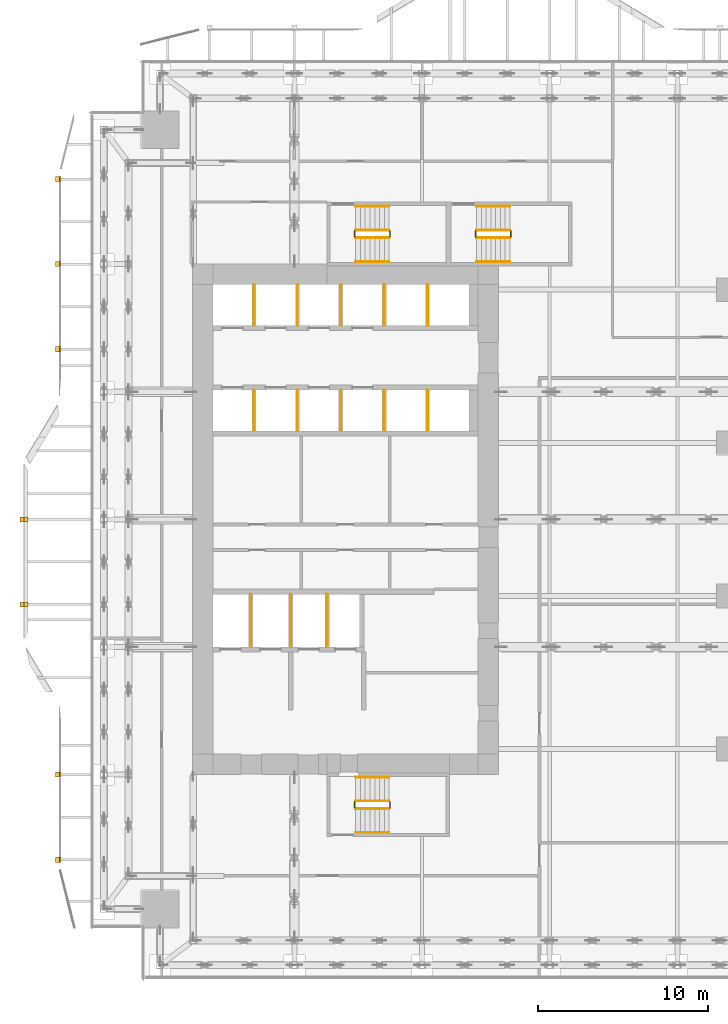
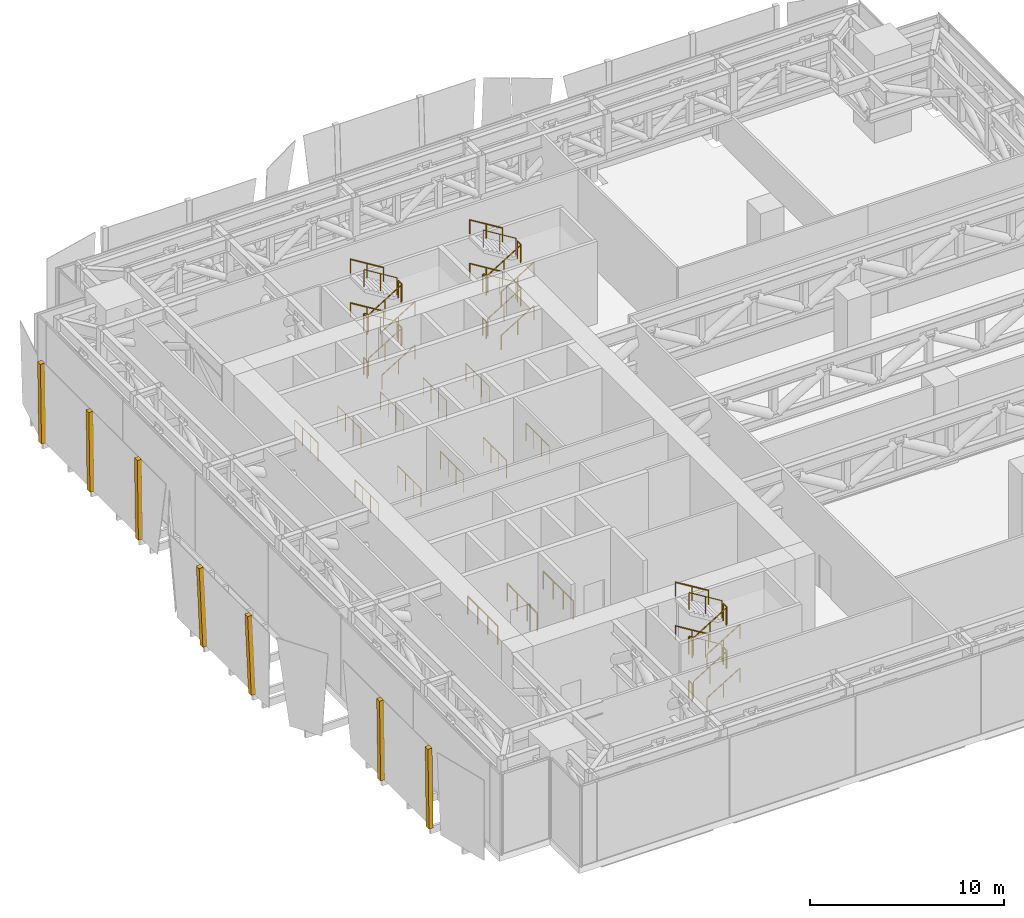
# One storey, part 38 of 39: 49 railings, 7 coverings.
"""IFC4 building model written with IfcOpenShell, lengths in metres."""

from ifc_helpers import new_model, si_unit, direction, frame, origin, origin_2d, place, context, subcontext, project, spatial, polyline, circle, outline, extrude, source, transform, mapped, material, layer, layer_set, type_object, element, save


model = new_model("IFC4")

# Units and contexts
model_context = context("Model", 3, precision=1e-05, world=origin(), true_north=direction((0.0, 1.0)))
body_context = subcontext(model_context, "Body", "Model", "MODEL_VIEW")
ifc_project = project(units=[si_unit("LENGTHUNIT", "METRE"), si_unit("AREAUNIT", "SQUARE_METRE"), si_unit("VOLUMEUNIT", "CUBIC_METRE"), si_unit("PLANEANGLEUNIT", "RADIAN"), si_unit("MASSUNIT", "GRAM", prefix="KILO")], contexts=[model_context])

# Site, building, storey
site_placement = place(None, origin())
site = spatial("IfcSite", under=ifc_project, at=site_placement, CompositionType="ELEMENT")
building_placement = place(site_placement, origin())
building = spatial("IfcBuilding", under=site, at=building_placement, Name="Khomas Fold Tower", CompositionType="ELEMENT")
storey_placement = place(building_placement, frame((0.0, 0.0, 96.0)))
storey = spatial("IfcBuildingStorey", under=building, at=storey_placement, Name="L20", CompositionType="ELEMENT", Elevation=96.0)

# Coverings
ifc_material_1 = material(Name="Natural stone cladding", Category="masonry")
ifc_layer = layer(ifc_material_1, 0.25)
ifc_layer_set = layer_set([ifc_layer], Name="Natural stone cladding")
covering_type = type_object("IfcCoveringType", Name="SK-Karibib marble stone mullion", PredefinedType="CLADDING", material=ifc_layer_set)
for number, where, z_axis, x_axis, name in (
    (1, (-1.727783203125, 6.85009765625, 0.0), (0.999913554887, 0.0, 0.013148488612), (-0.013148488612, 0.0, 0.999913554887), "OUTER SKIN mullion L20 WM099-2"),
    (2, (-1.727783203125, 11.85009765625, 0.0), (0.999913554887, 0.0, 0.013148488612), (-0.013148488612, 0.0, 0.999913554887), "OUTER SKIN mullion L20 WM100-4"),
):
    element("IfcCovering", number, at=place(storey_placement, frame(where, z_axis=z_axis, x_axis=x_axis)), inside=storey, type_object=covering_type, Name=name, PredefinedType="CLADDING", context=body_context, shape_type="SweptSolid", body=[
        extrude(outline(polyline([(0.0, 0.0), (5.050485417906456, 0.0), (5.050485417906456, -0.2998046875), (0.0, -0.2998046875), (0.0, 0.0)])), origin(), (0.0, 0.0, -1.0), 0.25),
    ])
for number, where, z_axis, x_axis, name in (
    (3, (-3.6591796875, 21.85009765625, 0.0), (0.999042164286, 0.0, 0.043757901902), (-0.043757901902, 0.0, 0.999042164286), "OUTER SKIN mullion L20 WM102-8"),
    (4, (-3.6591796875, 26.85009765625, 0.0), (0.999042164286, 0.0, 0.043757901902), (-0.043757901902, 0.0, 0.999042164286), "OUTER SKIN mullion L20 WM103-10"),
):
    element("IfcCovering", number, at=place(storey_placement, frame(where, z_axis=z_axis, x_axis=x_axis)), inside=storey, type_object=covering_type, Name=name, PredefinedType="CLADDING", context=body_context, shape_type="SweptSolid", body=[
        extrude(outline(polyline([(0.0, 0.0), (5.054890582855927, 0.0), (5.054890582855927, -0.2998046875), (0.0, -0.2998046875), (0.0, 0.0)])), origin(), (0.0, 0.0, -1.0), 0.25),
    ])
for number, where, z_axis, x_axis, name in (
    (5, (-1.727783203125, 36.85009765625, 0.0), (0.999913554887, 0.0, 0.013148488612), (-0.013148488612, 0.0, 0.999913554887), "OUTER SKIN mullion L20 WM105-15"),
    (6, (-1.727783203125, 41.85009765625, 0.0), (0.999913554887, 0.0, 0.013148488612), (-0.013148488612, 0.0, 0.999913554887), "OUTER SKIN mullion L20 WM106-17"),
    (7, (-1.727783203125, 46.85009765625, 0.0), (0.999913554887, 0.0, 0.013148488612), (-0.013148488612, 0.0, 0.999913554887), "OUTER SKIN mullion L20 WM107-19"),
):
    element("IfcCovering", number, at=place(storey_placement, frame(where, z_axis=z_axis, x_axis=x_axis)), inside=storey, type_object=covering_type, Name=name, PredefinedType="CLADDING", context=body_context, shape_type="SweptSolid", body=[
        extrude(outline(polyline([(0.0, 0.0), (5.050485417906456, 0.0), (5.050485417906456, -0.2998046875), (0.0, -0.2998046875), (0.0, 0.0)])), origin(), (0.0, 0.0, -1.0), 0.25),
    ])

# Railings
ifc_material_2 = material(Name="Powder-coated steel", Category="steel")
railing_type_1 = type_object("IfcRailingType", Name="Balcony guard", PredefinedType="GUARDRAIL", material=ifc_material_2)
shared_shape_1 = source(origin(), body_context, "Body", "SweptSolid", [
    extrude(circle(Radius=0.02490234375, at=origin_2d()), frame((0.0, 0.0, 1.125), z_axis=(0.0, 1.0, 0.0), x_axis=(-1.0, 0.0, 0.0)), (0.0, 0.0, 1.0), 3.10009765625),
    extrude(circle(Radius=0.02001953125, at=origin_2d()), origin(), (0.0, 0.0, 1.0), 1.099853515625),
    extrude(circle(Radius=0.02001953125, at=origin_2d()), frame((0.0, 1.033447265625, 0.0)), (0.0, 0.0, 1.0), 1.099853515625),
    extrude(circle(Radius=0.02001953125, at=origin_2d()), frame((0.0, 2.066650390625, 0.0)), (0.0, 0.0, 1.0), 1.099853515625),
    extrude(circle(Radius=0.02001953125, at=origin_2d()), frame((0.0, 3.10009765625, 0.0)), (0.0, 0.0, 1.0), 1.099853515625),
])
for number, where, name in (
    (8, (9.425048828125, 19.5, 0.0), "GUARD 69"),
    (9, (11.77490234375, 19.5, 0.0), "GUARD 69"),
    (10, (13.925048828125, 19.5, 0.0), "GUARD 69"),
):
    element("IfcRailing", number, at=place(storey_placement, frame(where)), inside=storey, type_object=railing_type_1, Name=name, PredefinedType="GUARDRAIL", context=body_context, shape_type="MappedRepresentation", body=[
        mapped(shared_shape_1, transform((0.0, 0.0, 0.0))),
    ])
shared_shape_2 = source(origin(), body_context, "Body", "SweptSolid", [
    extrude(circle(Radius=0.02490234375, at=origin_2d()), frame((0.0, 0.0, 1.125), z_axis=(0.0, 1.0, 0.0), x_axis=(-1.0, 0.0, 0.0)), (0.0, 0.0, 1.0), 2.400146484375),
    extrude(circle(Radius=0.02001953125, at=origin_2d()), origin(), (0.0, 0.0, 1.0), 1.099853515625),
    extrude(circle(Radius=0.02001953125, at=origin_2d()), frame((0.0, 0.800048828125, 0.0)), (0.0, 0.0, 1.0), 1.099853515625),
    extrude(circle(Radius=0.02001953125, at=origin_2d()), frame((0.0, 1.60009765625, 0.0)), (0.0, 0.0, 1.0), 1.099853515625),
    extrude(circle(Radius=0.02001953125, at=origin_2d()), frame((0.0, 2.400146484375, 0.0)), (0.0, 0.0, 1.0), 1.099853515625),
])
for number, where, name in (
    (11, (9.625, 32.199951171875, 0.0), "GUARD 69"),
    (12, (12.175048828125, 32.199951171875, 0.0), "GUARD 69"),
    (13, (14.72509765625, 32.199951171875, 0.0), "GUARD 69"),
    (14, (17.27490234375, 32.199951171875, 0.0), "GUARD 69"),
    (15, (19.824951171875, 32.199951171875, 0.0), "GUARD 69"),
    (16, (9.625, 38.39990234375, 0.0), "GUARD 69"),
    (17, (12.175048828125, 38.39990234375, 0.0), "GUARD 69"),
    (18, (14.72509765625, 38.39990234375, 0.0), "GUARD 69"),
    (19, (17.27490234375, 38.39990234375, 0.0), "GUARD 69"),
    (20, (19.824951171875, 38.39990234375, 0.0), "GUARD 69"),
):
    element("IfcRailing", number, at=place(storey_placement, frame(where)), inside=storey, type_object=railing_type_1, Name=name, PredefinedType="GUARDRAIL", context=body_context, shape_type="MappedRepresentation", body=[
        mapped(shared_shape_2, transform((0.0, 0.0, 0.0))),
    ])
ifc_material_3 = material(Name="Steel balustrade", Category="steel")
railing_type_2 = type_object("IfcRailingType", Name="Stair guard", PredefinedType="GUARDRAIL", material=ifc_material_3)
shared_shape_3 = source(origin(), body_context, "Body", "SweptSolid", [
    extrude(circle(Radius=0.02392578125, at=origin_2d()), frame((0.0, 0.0, 1.076171875), z_axis=(0.0, 1.0, 0.0), x_axis=(-1.0, 0.0, 0.0)), (0.0, 0.0, 1.0), 0.349853515625),
    extrude(circle(Radius=0.02099609375, at=origin_2d()), origin(), (0.0, 0.0, 1.0), 1.052001953125),
    extrude(circle(Radius=0.02099609375, at=origin_2d()), frame((0.0, 0.349853515625, 0.0)), (0.0, 0.0, 1.0), 1.052001953125),
])
for number, where, name in (
    (21, (17.610107421875, 43.60009765625, 1.375), "L20 ST1 stair guard 2"),
    (22, (15.550048828125, 43.60009765625, 2.75), "L20 ST1 stair guard 4"),
    (23, (17.610107421875, 43.60009765625, 4.125), "L20 ST1 stair guard 6"),
    (24, (15.550048828125, 43.60009765625, 0.0), "L20 ST1 stair guard 8"),
    (25, (17.610107421875, 10.050048828125, 1.375), "L20 ST2 stair guard 2"),
    (26, (15.550048828125, 10.050048828125, 2.75), "L20 ST2 stair guard 4"),
    (27, (17.610107421875, 10.050048828125, 4.125), "L20 ST2 stair guard 6"),
    (28, (15.550048828125, 10.050048828125, 0.0), "L20 ST2 stair guard 8"),
    (29, (24.7099609375, 43.60009765625, 1.375), "L20 ST3 stair guard 2"),
    (30, (22.64990234375, 43.60009765625, 2.75), "L20 ST3 stair guard 4"),
    (31, (24.7099609375, 43.60009765625, 4.125), "L20 ST3 stair guard 6"),
    (32, (22.64990234375, 43.60009765625, 0.0), "L20 ST3 stair guard 8"),
):
    element("IfcRailing", number, at=place(storey_placement, frame(where)), inside=storey, type_object=railing_type_2, Name=name, PredefinedType="GUARDRAIL", context=body_context, shape_type="MappedRepresentation", body=[
        mapped(shared_shape_3, transform((0.0, 0.0, 0.0))),
    ])
shared_shape_4 = source(origin(), body_context, "Body", "SweptSolid", [
    extrude(circle(Radius=0.02392578125, at=origin_2d()), frame((0.0, 0.0, 1.076171875), z_axis=(0.852240978134, 0.0, 0.523149419562), x_axis=(0.0, 1.0, 0.0)), (0.0, 0.0, 1.0), 2.2998046875),
    extrude(circle(Radius=0.02099609375, at=origin_2d()), origin(), (0.0, 0.0, 1.0), 1.052001953125),
    extrude(circle(Radius=0.02099609375, at=origin_2d()), frame((0.97998046875, 0.0, 0.6015625)), (0.0, 0.0, 1.0), 1.052001953125),
    extrude(circle(Radius=0.02099609375, at=origin_2d()), frame((1.9599609375, 0.0, 1.203125)), (0.0, 0.0, 1.0), 1.052001953125),
])
for number, where, name in (
    (33, (15.60009765625, 43.550048828125, 0.171875), "L20 ST1 stair guard 1"),
    (34, (15.60009765625, 43.550048828125, 2.921875), "L20 ST1 stair guard 5"),
    (35, (15.60009765625, 10.0, 0.171875), "L20 ST2 stair guard 1"),
    (36, (15.60009765625, 10.0, 2.921875), "L20 ST2 stair guard 5"),
    (37, (22.699951171875, 43.550048828125, 0.171875), "L20 ST3 stair guard 1"),
    (38, (22.699951171875, 43.550048828125, 2.921875), "L20 ST3 stair guard 5"),
):
    element("IfcRailing", number, at=place(storey_placement, frame(where)), inside=storey, type_object=railing_type_2, Name=name, PredefinedType="GUARDRAIL", context=body_context, shape_type="MappedRepresentation", body=[
        mapped(shared_shape_4, transform((0.0, 0.0, 0.0))),
    ])
shared_shape_5 = source(origin(), body_context, "Body", "SweptSolid", [
    extrude(circle(Radius=0.02392578125, at=origin_2d()), frame((0.0, 0.0, 1.076171875), z_axis=(-0.852240978134, 0.0, 0.523149419562), x_axis=(0.0, -1.0, 0.0)), (0.0, 0.0, 1.0), 2.2998046875),
    extrude(circle(Radius=0.02099609375, at=origin_2d()), origin(), (0.0, 0.0, 1.0), 1.052001953125),
    extrude(circle(Radius=0.02099609375, at=origin_2d()), frame((-0.97998046875, 0.0, 0.6015625)), (0.0, 0.0, 1.0), 1.052001953125),
    extrude(circle(Radius=0.02099609375, at=origin_2d()), frame((-1.9599609375, 0.0, 1.203125)), (0.0, 0.0, 1.0), 1.052001953125),
])
for number, where, name in (
    (39, (17.56005859375, 44.0, 1.546875), "L20 ST1 stair guard 3"),
    (40, (17.56005859375, 44.0, 4.296875), "L20 ST1 stair guard 7"),
    (41, (17.56005859375, 10.449951171875, 1.546875), "L20 ST2 stair guard 3"),
    (42, (17.56005859375, 10.449951171875, 4.296875), "L20 ST2 stair guard 7"),
    (43, (24.659912109375, 44.0, 1.546875), "L20 ST3 stair guard 3"),
    (44, (24.659912109375, 44.0, 4.296875), "L20 ST3 stair guard 7"),
):
    element("IfcRailing", number, at=place(storey_placement, frame(where)), inside=storey, type_object=railing_type_2, Name=name, PredefinedType="GUARDRAIL", context=body_context, shape_type="MappedRepresentation", body=[
        mapped(shared_shape_5, transform((0.0, 0.0, 0.0))),
    ])
ifc_material_4 = material(Name="Steel handrail", Category="steel")
railing_type_3 = type_object("IfcRailingType", Name="Stair handrail", PredefinedType="HANDRAIL", material=ifc_material_4)
shared_shape_6 = source(origin(), body_context, "Body", "SweptSolid", [
    extrude(circle(Radius=0.02392578125, at=origin_2d()), frame((0.0, 0.0, 0.8759765625), z_axis=(0.852240978134, 0.0, 0.523149419562), x_axis=(0.0, 1.0, 0.0)), (0.0, 0.0, 1.0), 2.2998046875),
    extrude(circle(Radius=0.02099609375, at=origin_2d()), origin(), (0.0, 0.0, 1.0), 0.851806640625),
    extrude(circle(Radius=0.02099609375, at=origin_2d()), frame((0.97998046875, 0.0, 0.6015625)), (0.0, 0.0, 1.0), 0.851806640625),
    extrude(circle(Radius=0.02099609375, at=origin_2d()), frame((1.9599609375, 0.0, 1.203125)), (0.0, 0.0, 1.0), 0.851806640625),
])
for number, where, name in (
    (45, (15.60009765625, 42.14990234375, 0.171875), "L20 ST1 stair handrail 1"),
    (46, (15.60009765625, 42.14990234375, 2.921875), "L20 ST1 stair handrail 3"),
    (47, (15.60009765625, 8.60009765625, 0.171875), "L20 ST2 stair handrail 1"),
    (48, (15.60009765625, 8.60009765625, 2.921875), "L20 ST2 stair handrail 3"),
    (49, (22.699951171875, 42.14990234375, 0.171875), "L20 ST3 stair handrail 1"),
    (50, (22.699951171875, 42.14990234375, 2.921875), "L20 ST3 stair handrail 3"),
):
    element("IfcRailing", number, at=place(storey_placement, frame(where)), inside=storey, type_object=railing_type_3, Name=name, PredefinedType="HANDRAIL", context=body_context, shape_type="MappedRepresentation", body=[
        mapped(shared_shape_6, transform((0.0, 0.0, 0.0))),
    ])
shared_shape_7 = source(origin(), body_context, "Body", "SweptSolid", [
    extrude(circle(Radius=0.02392578125, at=origin_2d()), frame((0.0, 0.0, 0.8759765625), z_axis=(-0.852240978134, 0.0, 0.523149419562), x_axis=(0.0, -1.0, 0.0)), (0.0, 0.0, 1.0), 2.2998046875),
    extrude(circle(Radius=0.02099609375, at=origin_2d()), origin(), (0.0, 0.0, 1.0), 0.851806640625),
    extrude(circle(Radius=0.02099609375, at=origin_2d()), frame((-0.97998046875, 0.0, 0.6015625)), (0.0, 0.0, 1.0), 0.851806640625),
    extrude(circle(Radius=0.02099609375, at=origin_2d()), frame((-1.9599609375, 0.0, 1.203125)), (0.0, 0.0, 1.0), 0.851806640625),
])
for number, where, name in (
    (51, (17.56005859375, 45.39990234375, 1.546875), "L20 ST1 stair handrail 2"),
    (52, (17.56005859375, 45.39990234375, 4.296875), "L20 ST1 stair handrail 4"),
    (53, (17.56005859375, 11.85009765625, 1.546875), "L20 ST2 stair handrail 2"),
    (54, (17.56005859375, 11.85009765625, 4.296875), "L20 ST2 stair handrail 4"),
    (55, (24.659912109375, 45.39990234375, 1.546875), "L20 ST3 stair handrail 2"),
    (56, (24.659912109375, 45.39990234375, 4.296875), "L20 ST3 stair handrail 4"),
):
    element("IfcRailing", number, at=place(storey_placement, frame(where)), inside=storey, type_object=railing_type_3, Name=name, PredefinedType="HANDRAIL", context=body_context, shape_type="MappedRepresentation", body=[
        mapped(shared_shape_7, transform((0.0, 0.0, 0.0))),
    ])

save(model, "model.ifc")
